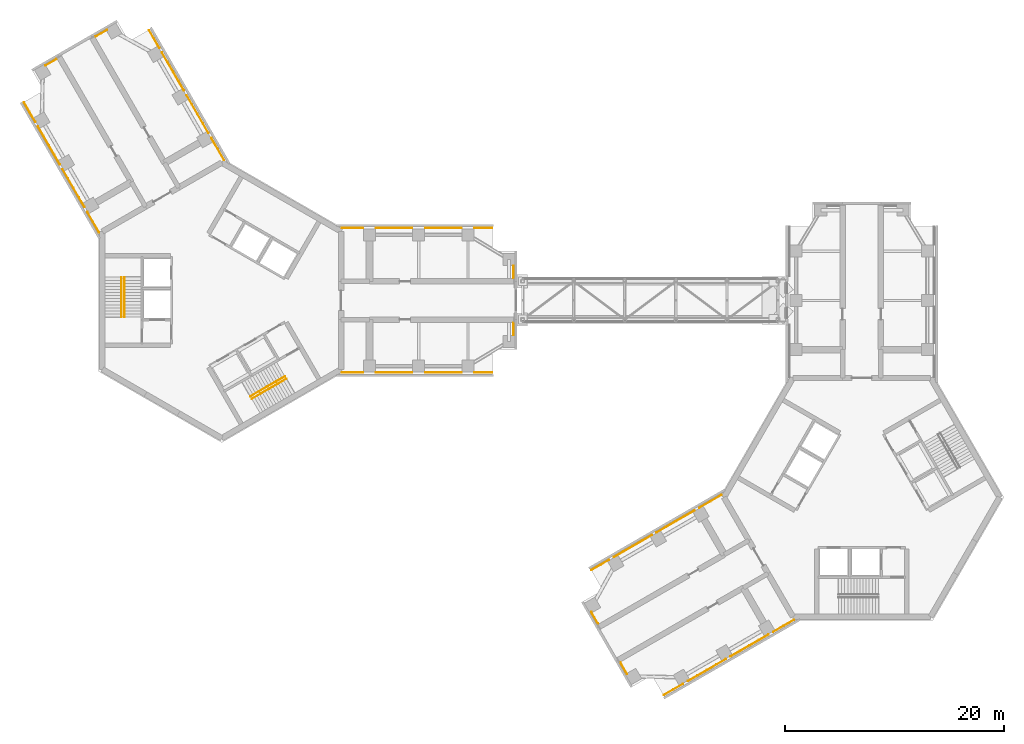
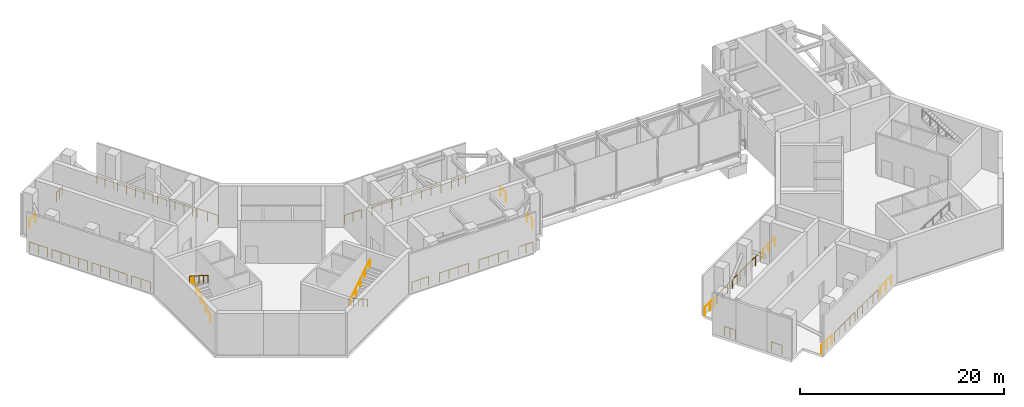
# One storey, part 14 of 15: 34 railings.
"""IFC4 building model written with IfcOpenShell, lengths in metres."""

from ifc_helpers import new_model, si_unit, direction, frame, origin, origin_2d, place, context, subcontext, project, spatial, circle, extrude, material, type_object, element, save


model = new_model("IFC4")

# Units and contexts
model_context = context("Model", 3, precision=1e-05, world=origin(), true_north=direction((0.0, 1.0)))
body_context = subcontext(model_context, "Body", "Model", "MODEL_VIEW")
ifc_project = project(units=[si_unit("LENGTHUNIT", "METRE"), si_unit("AREAUNIT", "SQUARE_METRE"), si_unit("VOLUMEUNIT", "CUBIC_METRE"), si_unit("PLANEANGLEUNIT", "RADIAN"), si_unit("MASSUNIT", "GRAM", prefix="KILO")], contexts=[model_context])

# Site, building, storey
site_placement = place(None, origin())
site = spatial("IfcSite", under=ifc_project, at=site_placement, CompositionType="ELEMENT")
building_placement = place(site_placement, origin())
building = spatial("IfcBuilding", under=site, at=building_placement, Name="Upepo Twin Towers", CompositionType="ELEMENT")
storey_placement = place(building_placement, frame((0.0, 0.0, 238.5)))
storey = spatial("IfcBuildingStorey", under=building, at=storey_placement, Name="L58", CompositionType="ELEMENT", Elevation=238.5)

# Railings
ifc_material_1 = material(Name="Stainless steel and glass", Category="steel")
railing_type_1 = type_object("IfcRailingType", Name="Guard 1100", PredefinedType="GUARDRAIL", material=ifc_material_1)
railing_1_placement = place(storey_placement, frame((10.985107421875, 6.60009765625, 0.0)))
element("IfcRailing", 1, at=railing_1_placement, inside=storey, type_object=railing_type_1, Name="T1 L58 open floor guard", PredefinedType="GUARDRAIL", context=body_context, shape_type="SweptSolid", body=[
    extrude(circle(Radius=0.02392578125, at=origin_2d()), frame((0.0, 0.0, 1.076171875), z_axis=(1.0, 0.0, 0.0), x_axis=(0.0, 1.0, 0.0)), (0.0, 0.0, 1.0), 1.914794921875),
    extrude(circle(Radius=0.02099609375, at=origin_2d()), origin(), (0.0, 0.0, 1.0), 1.052001953125),
    extrude(circle(Radius=0.02099609375, at=origin_2d()), frame((0.95751953125, 0.0, 0.0)), (0.0, 0.0, 1.0), 1.052001953125),
    extrude(circle(Radius=0.02099609375, at=origin_2d()), frame((1.914794921875, 0.0, 0.0)), (0.0, 0.0, 1.0), 1.052001953125),
])
for number, where, name in (
    (2, (14.10009765625, 6.60009765625, 0.0), "T1 L58 open floor guard"),
    (3, (18.60009765625, 6.60009765625, 0.0), "T1 L58 open floor guard"),
):
    element("IfcRailing", number, at=place(storey_placement, frame(where)), inside=storey, type_object=railing_type_1, Name=name, PredefinedType="GUARDRAIL", context=body_context, shape_type="SweptSolid", body=[
        extrude(circle(Radius=0.02392578125, at=origin_2d()), frame((0.0, 0.0, 1.076171875), z_axis=(1.0, 0.0, 0.0), x_axis=(0.0, 1.0, 0.0)), (0.0, 0.0, 1.0), 3.2998046875),
        extrude(circle(Radius=0.02099609375, at=origin_2d()), origin(), (0.0, 0.0, 1.0), 1.052001953125),
        extrude(circle(Radius=0.02099609375, at=origin_2d()), frame((1.099853515625, 0.0, 0.0)), (0.0, 0.0, 1.0), 1.052001953125),
        extrude(circle(Radius=0.02099609375, at=origin_2d()), frame((2.199951171875, 0.0, 0.0)), (0.0, 0.0, 1.0), 1.052001953125),
        extrude(circle(Radius=0.02099609375, at=origin_2d()), frame((3.2998046875, 0.0, 0.0)), (0.0, 0.0, 1.0), 1.052001953125),
    ])
railing_2_placement = place(storey_placement, frame((23.10009765625, 6.60009765625, 0.0)))
element("IfcRailing", 4, at=railing_2_placement, inside=storey, type_object=railing_type_1, Name="T1 L58 open floor guard", PredefinedType="GUARDRAIL", context=body_context, shape_type="SweptSolid", body=[
    extrude(circle(Radius=0.02392578125, at=origin_2d()), frame((0.0, 0.0, 1.076171875), z_axis=(1.0, 0.0, 0.0), x_axis=(0.0, 1.0, 0.0)), (0.0, 0.0, 1.0), 1.599853515625),
    extrude(circle(Radius=0.02099609375, at=origin_2d()), origin(), (0.0, 0.0, 1.0), 1.052001953125),
    extrude(circle(Radius=0.02099609375, at=origin_2d()), frame((0.7998046875, 0.0, 0.0)), (0.0, 0.0, 1.0), 1.052001953125),
    extrude(circle(Radius=0.02099609375, at=origin_2d()), frame((1.599853515625, 0.0, 0.0)), (0.0, 0.0, 1.0), 1.052001953125),
])
railing_3_placement = place(storey_placement, frame((12.89990234375, -6.60009765625, 0.0)))
element("IfcRailing", 5, at=railing_3_placement, inside=storey, type_object=railing_type_1, Name="T1 L58 open floor guard", PredefinedType="GUARDRAIL", context=body_context, shape_type="SweptSolid", body=[
    extrude(circle(Radius=0.02392578125, at=origin_2d()), frame((0.0, 0.0, 1.076171875), z_axis=(-1.0, 0.0, 0.0), x_axis=(0.0, -1.0, 0.0)), (0.0, 0.0, 1.0), 1.914794921875),
    extrude(circle(Radius=0.02099609375, at=origin_2d()), origin(), (0.0, 0.0, 1.0), 1.052001953125),
    extrude(circle(Radius=0.02099609375, at=origin_2d()), frame((-0.95751953125, 0.0, 0.0)), (0.0, 0.0, 1.0), 1.052001953125),
    extrude(circle(Radius=0.02099609375, at=origin_2d()), frame((-1.914794921875, 0.0, 0.0)), (0.0, 0.0, 1.0), 1.052001953125),
])
for number, where, name in (
    (6, (17.39990234375, -6.60009765625, 0.0), "T1 L58 open floor guard"),
    (7, (21.89990234375, -6.60009765625, 0.0), "T1 L58 open floor guard"),
):
    element("IfcRailing", number, at=place(storey_placement, frame(where)), inside=storey, type_object=railing_type_1, Name=name, PredefinedType="GUARDRAIL", context=body_context, shape_type="SweptSolid", body=[
        extrude(circle(Radius=0.02392578125, at=origin_2d()), frame((0.0, 0.0, 1.076171875), z_axis=(-1.0, 0.0, 0.0), x_axis=(0.0, -1.0, 0.0)), (0.0, 0.0, 1.0), 3.2998046875),
        extrude(circle(Radius=0.02099609375, at=origin_2d()), origin(), (0.0, 0.0, 1.0), 1.052001953125),
        extrude(circle(Radius=0.02099609375, at=origin_2d()), frame((-1.099853515625, 0.0, 0.0)), (0.0, 0.0, 1.0), 1.052001953125),
        extrude(circle(Radius=0.02099609375, at=origin_2d()), frame((-2.199951171875, 0.0, 0.0)), (0.0, 0.0, 1.0), 1.052001953125),
        extrude(circle(Radius=0.02099609375, at=origin_2d()), frame((-3.2998046875, 0.0, 0.0)), (0.0, 0.0, 1.0), 1.052001953125),
    ])
railing_4_placement = place(storey_placement, frame((24.699951171875, -6.60009765625, 0.0)))
element("IfcRailing", 8, at=railing_4_placement, inside=storey, type_object=railing_type_1, Name="T1 L58 open floor guard", PredefinedType="GUARDRAIL", context=body_context, shape_type="SweptSolid", body=[
    extrude(circle(Radius=0.02392578125, at=origin_2d()), frame((0.0, 0.0, 1.076171875), z_axis=(-1.0, 0.0, 0.0), x_axis=(0.0, -1.0, 0.0)), (0.0, 0.0, 1.0), 1.599853515625),
    extrude(circle(Radius=0.02099609375, at=origin_2d()), origin(), (0.0, 0.0, 1.0), 1.052001953125),
    extrude(circle(Radius=0.02099609375, at=origin_2d()), frame((-0.7998046875, 0.0, 0.0)), (0.0, 0.0, 1.0), 1.052001953125),
    extrude(circle(Radius=0.02099609375, at=origin_2d()), frame((-1.599853515625, 0.0, 0.0)), (0.0, 0.0, 1.0), 1.052001953125),
])
for number, where, name in (
    (9, (26.64990234375, -3.14990234375, 0.0), "T1 L58 open floor guard"),
    (10, (26.64990234375, 2.050048828125, 0.0), "T1 L58 open floor guard"),
):
    element("IfcRailing", number, at=place(storey_placement, frame(where)), inside=storey, type_object=railing_type_1, Name=name, PredefinedType="GUARDRAIL", context=body_context, shape_type="SweptSolid", body=[
        extrude(circle(Radius=0.02392578125, at=origin_2d()), frame((0.0, 0.0, 1.076171875), z_axis=(0.0, 1.0, 0.0), x_axis=(-1.0, 0.0, 0.0)), (0.0, 0.0, 1.0), 1.099853515625),
        extrude(circle(Radius=0.02099609375, at=origin_2d()), origin(), (0.0, 0.0, 1.0), 1.052001953125),
        extrude(circle(Radius=0.02099609375, at=origin_2d()), frame((0.0, 1.099853515625, 0.0)), (0.0, 0.0, 1.0), 1.052001953125),
    ])
railing_5_placement = place(storey_placement, frame((-17.046142578125, 16.32470703125, 0.0)))
element("IfcRailing", 11, at=railing_5_placement, inside=storey, type_object=railing_type_1, Name="T1 L58 open floor guard", PredefinedType="GUARDRAIL", context=body_context, shape_type="SweptSolid", body=[
    extrude(circle(Radius=0.02392578125, at=origin_2d()), frame((0.0, 0.0, 1.076171875), z_axis=(-0.499950448838, 0.866054010271, 0.0), x_axis=(-0.866054010271, -0.499950448838, 0.0)), (0.0, 0.0, 1.0), 2.039306640625),
    extrude(circle(Radius=0.02099609375, at=origin_2d()), origin(), (0.0, 0.0, 1.0), 1.052001953125),
    extrude(circle(Radius=0.02099609375, at=origin_2d()), frame((-0.509765625, 0.883056640625, 0.0)), (0.0, 0.0, 1.0), 1.052001953125),
    extrude(circle(Radius=0.02099609375, at=origin_2d()), frame((-1.01953125, 1.76611328125, 0.0)), (0.0, 0.0, 1.0), 1.052001953125),
])
railing_6_placement = place(storey_placement, frame((-14.796142578125, 12.427734375, 0.0)))
element("IfcRailing", 12, at=railing_6_placement, inside=storey, type_object=railing_type_1, Name="T1 L58 open floor guard", PredefinedType="GUARDRAIL", context=body_context, shape_type="SweptSolid", body=[
    extrude(circle(Radius=0.02392578125, at=origin_2d()), frame((0.0, 0.0, 1.076171875), z_axis=(-0.499999455981, 0.866025717874, 0.0), x_axis=(-0.866025717874, -0.499999455981, 0.0)), (0.0, 0.0, 1.0), 3.99267578125),
    extrude(circle(Radius=0.02099609375, at=origin_2d()), origin(), (0.0, 0.0, 1.0), 1.052001953125),
    extrude(circle(Radius=0.02099609375, at=origin_2d()), frame((-0.4990234375, 0.864501953125, 0.0)), (0.0, 0.0, 1.0), 1.052001953125),
    extrude(circle(Radius=0.02099609375, at=origin_2d()), frame((-0.998046875, 1.72900390625, 0.0)), (0.0, 0.0, 1.0), 1.052001953125),
    extrude(circle(Radius=0.02099609375, at=origin_2d()), frame((-1.497314453125, 2.59326171875, 0.0)), (0.0, 0.0, 1.0), 1.052001953125),
    extrude(circle(Radius=0.02099609375, at=origin_2d()), frame((-1.996337890625, 3.457763671875, 0.0)), (0.0, 0.0, 1.0), 1.052001953125),
])
railing_7_placement = place(storey_placement, frame((-12.546142578125, 8.530517578125, 0.0)))
element("IfcRailing", 13, at=railing_7_placement, inside=storey, type_object=railing_type_1, Name="T1 L58 open floor guard", PredefinedType="GUARDRAIL", context=body_context, shape_type="SweptSolid", body=[
    extrude(circle(Radius=0.02392578125, at=origin_2d()), frame((0.0, 0.0, 1.076171875), z_axis=(-0.499972979717, 0.86604100339, 0.0), x_axis=(-0.86604100339, -0.499972979717, 0.0)), (0.0, 0.0, 1.0), 3.992919921875),
    extrude(circle(Radius=0.02099609375, at=origin_2d()), origin(), (0.0, 0.0, 1.0), 1.052001953125),
    extrude(circle(Radius=0.02099609375, at=origin_2d()), frame((-0.4990234375, 0.864501953125, 0.0)), (0.0, 0.0, 1.0), 1.052001953125),
    extrude(circle(Radius=0.02099609375, at=origin_2d()), frame((-0.998046875, 1.72900390625, 0.0)), (0.0, 0.0, 1.0), 1.052001953125),
    extrude(circle(Radius=0.02099609375, at=origin_2d()), frame((-1.497314453125, 2.593505859375, 0.0)), (0.0, 0.0, 1.0), 1.052001953125),
    extrude(circle(Radius=0.02099609375, at=origin_2d()), frame((-1.996337890625, 3.4580078125, 0.0)), (0.0, 0.0, 1.0), 1.052001953125),
])
railing_8_placement = place(storey_placement, frame((-11.208251953125, 6.21337890625, 0.0)))
element("IfcRailing", 14, at=railing_8_placement, inside=storey, type_object=railing_type_1, Name="T1 L58 open floor guard", PredefinedType="GUARDRAIL", context=body_context, shape_type="SweptSolid", body=[
    extrude(circle(Radius=0.02392578125, at=origin_2d()), frame((0.0, 0.0, 1.076171875), z_axis=(-0.500001834845, 0.866024344433, 0.0), x_axis=(-0.866024344433, -0.500001834845, 0.0)), (0.0, 0.0, 1.0), 2.16845703125),
    extrude(circle(Radius=0.02099609375, at=origin_2d()), origin(), (0.0, 0.0, 1.0), 1.052001953125),
    extrude(circle(Radius=0.02099609375, at=origin_2d()), frame((-0.5419921875, 0.93896484375, 0.0)), (0.0, 0.0, 1.0), 1.052001953125),
    extrude(circle(Radius=0.02099609375, at=origin_2d()), frame((-1.084228515625, 1.8779296875, 0.0)), (0.0, 0.0, 1.0), 1.052001953125),
])
railing_9_placement = place(storey_placement, frame((-6.63427734375, 24.69091796875, 0.0)))
element("IfcRailing", 15, at=railing_9_placement, inside=storey, type_object=railing_type_1, Name="T1 L58 open floor guard", PredefinedType="GUARDRAIL", context=body_context, shape_type="SweptSolid", body=[
    extrude(circle(Radius=0.02392578125, at=origin_2d()), frame((0.0, 0.0, 1.076171875), z_axis=(0.499992292652, -0.866029853578, 0.0), x_axis=(0.866029853578, 0.499992292652, 0.0)), (0.0, 0.0, 1.0), 1.853515625),
    extrude(circle(Radius=0.02099609375, at=origin_2d()), origin(), (0.0, 0.0, 1.0), 1.052001953125),
    extrude(circle(Radius=0.02099609375, at=origin_2d()), frame((0.46337890625, -0.802734375, 0.0)), (0.0, 0.0, 1.0), 1.052001953125),
    extrude(circle(Radius=0.02099609375, at=origin_2d()), frame((0.9267578125, -1.605224609375, 0.0)), (0.0, 0.0, 1.0), 1.052001953125),
])
railing_10_placement = place(storey_placement, frame((-5.453857421875, 22.646240234375, 0.0)))
element("IfcRailing", 16, at=railing_10_placement, inside=storey, type_object=railing_type_1, Name="T1 L58 open floor guard", PredefinedType="GUARDRAIL", context=body_context, shape_type="SweptSolid", body=[
    extrude(circle(Radius=0.02392578125, at=origin_2d()), frame((0.0, 0.0, 1.076171875), z_axis=(0.499999455981, -0.866025717874, 0.0), x_axis=(0.866025717874, 0.499999455981, 0.0)), (0.0, 0.0, 1.0), 3.99267578125),
    extrude(circle(Radius=0.02099609375, at=origin_2d()), origin(), (0.0, 0.0, 1.0), 1.052001953125),
    extrude(circle(Radius=0.02099609375, at=origin_2d()), frame((0.4990234375, -0.864501953125, 0.0)), (0.0, 0.0, 1.0), 1.052001953125),
    extrude(circle(Radius=0.02099609375, at=origin_2d()), frame((0.998046875, -1.72900390625, 0.0)), (0.0, 0.0, 1.0), 1.052001953125),
    extrude(circle(Radius=0.02099609375, at=origin_2d()), frame((1.497314453125, -2.59326171875, 0.0)), (0.0, 0.0, 1.0), 1.052001953125),
    extrude(circle(Radius=0.02099609375, at=origin_2d()), frame((1.996337890625, -3.457763671875, 0.0)), (0.0, 0.0, 1.0), 1.052001953125),
])
railing_11_placement = place(storey_placement, frame((-3.203857421875, 18.749267578125, 0.0)))
element("IfcRailing", 17, at=railing_11_placement, inside=storey, type_object=railing_type_1, Name="T1 L58 open floor guard", PredefinedType="GUARDRAIL", context=body_context, shape_type="SweptSolid", body=[
    extrude(circle(Radius=0.02392578125, at=origin_2d()), frame((0.0, 0.0, 1.076171875), z_axis=(0.499972979717, -0.86604100339, 0.0), x_axis=(0.86604100339, 0.499972979717, 0.0)), (0.0, 0.0, 1.0), 3.992919921875),
    extrude(circle(Radius=0.02099609375, at=origin_2d()), origin(), (0.0, 0.0, 1.0), 1.052001953125),
    extrude(circle(Radius=0.02099609375, at=origin_2d()), frame((0.4990234375, -0.864501953125, 0.0)), (0.0, 0.0, 1.0), 1.052001953125),
    extrude(circle(Radius=0.02099609375, at=origin_2d()), frame((0.998046875, -1.72900390625, 0.0)), (0.0, 0.0, 1.0), 1.052001953125),
    extrude(circle(Radius=0.02099609375, at=origin_2d()), frame((1.497314453125, -2.593505859375, 0.0)), (0.0, 0.0, 1.0), 1.052001953125),
    extrude(circle(Radius=0.02099609375, at=origin_2d()), frame((1.996337890625, -3.4580078125, 0.0)), (0.0, 0.0, 1.0), 1.052001953125),
])
railing_12_placement = place(storey_placement, frame((-0.953857421875, 14.85205078125, 0.0)))
element("IfcRailing", 18, at=railing_12_placement, inside=storey, type_object=railing_type_1, Name="T1 L58 open floor guard", PredefinedType="GUARDRAIL", context=body_context, shape_type="SweptSolid", body=[
    extrude(circle(Radius=0.02392578125, at=origin_2d()), frame((0.0, 0.0, 1.076171875), z_axis=(0.500009742867, -0.866019778664, 0.0), x_axis=(0.866019778664, 0.500009742867, 0.0)), (0.0, 0.0, 1.0), 2.35400390625),
    extrude(circle(Radius=0.02099609375, at=origin_2d()), origin(), (0.0, 0.0, 1.0), 1.052001953125),
    extrude(circle(Radius=0.02099609375, at=origin_2d()), frame((0.58837890625, -1.019287109375, 0.0)), (0.0, 0.0, 1.0), 1.052001953125),
    extrude(circle(Radius=0.02099609375, at=origin_2d()), frame((1.177001953125, -2.03857421875, 0.0)), (0.0, 0.0, 1.0), 1.052001953125),
])
railing_13_placement = place(storey_placement, frame((-10.477294921875, 24.7236328125, 0.0)))
element("IfcRailing", 19, at=railing_13_placement, inside=storey, type_object=railing_type_1, Name="T1 L58 open floor guard", PredefinedType="GUARDRAIL", context=body_context, shape_type="SweptSolid", body=[
    extrude(circle(Radius=0.02392578125, at=origin_2d()), frame((0.0, 0.0, 1.076171875), z_axis=(-0.866001699761, -0.500041054325, 0.0), x_axis=(0.500041054325, -0.866001699761, 0.0)), (0.0, 0.0, 1.0), 1.23828125),
    extrude(circle(Radius=0.02099609375, at=origin_2d()), origin(), (0.0, 0.0, 1.0), 1.052001953125),
    extrude(circle(Radius=0.02099609375, at=origin_2d()), frame((-0.5361328125, -0.3095703125, 0.0)), (0.0, 0.0, 1.0), 1.052001953125),
    extrude(circle(Radius=0.02099609375, at=origin_2d()), frame((-1.072265625, -0.619140625, 0.0)), (0.0, 0.0, 1.0), 1.052001953125),
])
railing_14_placement = place(storey_placement, frame((-15.100341796875, 22.0546875, 0.0)))
element("IfcRailing", 20, at=railing_14_placement, inside=storey, type_object=railing_type_1, Name="T1 L58 open floor guard", PredefinedType="GUARDRAIL", context=body_context, shape_type="SweptSolid", body=[
    extrude(circle(Radius=0.02392578125, at=origin_2d()), frame((0.0, 0.0, 1.076171875), z_axis=(-0.866004928679, -0.500035462246, 0.0), x_axis=(0.500035462246, -0.866004928679, 0.0)), (0.0, 0.0, 1.0), 1.19287109375),
    extrude(circle(Radius=0.02099609375, at=origin_2d()), origin(), (0.0, 0.0, 1.0), 1.052001953125),
    extrude(circle(Radius=0.02099609375, at=origin_2d()), frame((-1.032958984375, -0.596435546875, 0.0)), (0.0, 0.0, 1.0), 1.052001953125),
])
railing_15_placement = place(storey_placement, frame((42.17529296875, -35.046142578125, 0.0)))
element("IfcRailing", 21, at=railing_15_placement, inside=storey, type_object=railing_type_1, Name="T2 L58 open floor guard", PredefinedType="GUARDRAIL", context=body_context, shape_type="SweptSolid", body=[
    extrude(circle(Radius=0.02392578125, at=origin_2d()), frame((0.0, 0.0, 1.076171875), z_axis=(-0.866054010271, -0.499950448838, 0.0), x_axis=(0.499950448838, -0.866054010271, 0.0)), (0.0, 0.0, 1.0), 2.039306640625),
    extrude(circle(Radius=0.02099609375, at=origin_2d()), origin(), (0.0, 0.0, 1.0), 1.052001953125),
    extrude(circle(Radius=0.02099609375, at=origin_2d()), frame((-0.883056640625, -0.509765625, 0.0)), (0.0, 0.0, 1.0), 1.052001953125),
    extrude(circle(Radius=0.02099609375, at=origin_2d()), frame((-1.76611328125, -1.01953125, 0.0)), (0.0, 0.0, 1.0), 1.052001953125),
])
railing_16_placement = place(storey_placement, frame((46.072265625, -32.796142578125, 0.0)))
element("IfcRailing", 22, at=railing_16_placement, inside=storey, type_object=railing_type_1, Name="T2 L58 open floor guard", PredefinedType="GUARDRAIL", context=body_context, shape_type="SweptSolid", body=[
    extrude(circle(Radius=0.02392578125, at=origin_2d()), frame((0.0, 0.0, 1.076171875), z_axis=(-0.866025717874, -0.499999455981, 0.0), x_axis=(0.499999455981, -0.866025717874, 0.0)), (0.0, 0.0, 1.0), 3.99267578125),
    extrude(circle(Radius=0.02099609375, at=origin_2d()), origin(), (0.0, 0.0, 1.0), 1.052001953125),
    extrude(circle(Radius=0.02099609375, at=origin_2d()), frame((-0.864501953125, -0.4990234375, 0.0)), (0.0, 0.0, 1.0), 1.052001953125),
    extrude(circle(Radius=0.02099609375, at=origin_2d()), frame((-1.72900390625, -0.998046875, 0.0)), (0.0, 0.0, 1.0), 1.052001953125),
    extrude(circle(Radius=0.02099609375, at=origin_2d()), frame((-2.59326171875, -1.497314453125, 0.0)), (0.0, 0.0, 1.0), 1.052001953125),
    extrude(circle(Radius=0.02099609375, at=origin_2d()), frame((-3.457763671875, -1.996337890625, 0.0)), (0.0, 0.0, 1.0), 1.052001953125),
])
railing_17_placement = place(storey_placement, frame((49.969482421875, -30.546142578125, 0.0)))
element("IfcRailing", 23, at=railing_17_placement, inside=storey, type_object=railing_type_1, Name="T2 L58 open floor guard", PredefinedType="GUARDRAIL", context=body_context, shape_type="SweptSolid", body=[
    extrude(circle(Radius=0.02392578125, at=origin_2d()), frame((0.0, 0.0, 1.076171875), z_axis=(-0.86604100339, -0.499972979717, 0.0), x_axis=(0.499972979717, -0.86604100339, 0.0)), (0.0, 0.0, 1.0), 3.992919921875),
    extrude(circle(Radius=0.02099609375, at=origin_2d()), origin(), (0.0, 0.0, 1.0), 1.052001953125),
    extrude(circle(Radius=0.02099609375, at=origin_2d()), frame((-0.864501953125, -0.4990234375, 0.0)), (0.0, 0.0, 1.0), 1.052001953125),
    extrude(circle(Radius=0.02099609375, at=origin_2d()), frame((-1.72900390625, -0.998046875, 0.0)), (0.0, 0.0, 1.0), 1.052001953125),
    extrude(circle(Radius=0.02099609375, at=origin_2d()), frame((-2.593505859375, -1.497314453125, 0.0)), (0.0, 0.0, 1.0), 1.052001953125),
    extrude(circle(Radius=0.02099609375, at=origin_2d()), frame((-3.4580078125, -1.996337890625, 0.0)), (0.0, 0.0, 1.0), 1.052001953125),
])
railing_18_placement = place(storey_placement, frame((52.28662109375, -29.208251953125, 0.0)))
element("IfcRailing", 24, at=railing_18_placement, inside=storey, type_object=railing_type_1, Name="T2 L58 open floor guard", PredefinedType="GUARDRAIL", context=body_context, shape_type="SweptSolid", body=[
    extrude(circle(Radius=0.02392578125, at=origin_2d()), frame((0.0, 0.0, 1.076171875), z_axis=(-0.866024344433, -0.500001834845, 0.0), x_axis=(0.500001834845, -0.866024344433, 0.0)), (0.0, 0.0, 1.0), 2.16845703125),
    extrude(circle(Radius=0.02099609375, at=origin_2d()), origin(), (0.0, 0.0, 1.0), 1.052001953125),
    extrude(circle(Radius=0.02099609375, at=origin_2d()), frame((-0.93896484375, -0.5419921875, 0.0)), (0.0, 0.0, 1.0), 1.052001953125),
    extrude(circle(Radius=0.02099609375, at=origin_2d()), frame((-1.8779296875, -1.084228515625, 0.0)), (0.0, 0.0, 1.0), 1.052001953125),
])
railing_19_placement = place(storey_placement, frame((33.80908203125, -24.63427734375, 0.0)))
element("IfcRailing", 25, at=railing_19_placement, inside=storey, type_object=railing_type_1, Name="T2 L58 open floor guard", PredefinedType="GUARDRAIL", context=body_context, shape_type="SweptSolid", body=[
    extrude(circle(Radius=0.02392578125, at=origin_2d()), frame((0.0, 0.0, 1.076171875), z_axis=(0.866029853578, 0.499992292652, 0.0), x_axis=(-0.499992292652, 0.866029853578, 0.0)), (0.0, 0.0, 1.0), 1.853515625),
    extrude(circle(Radius=0.02099609375, at=origin_2d()), origin(), (0.0, 0.0, 1.0), 1.052001953125),
    extrude(circle(Radius=0.02099609375, at=origin_2d()), frame((0.802734375, 0.46337890625, 0.0)), (0.0, 0.0, 1.0), 1.052001953125),
    extrude(circle(Radius=0.02099609375, at=origin_2d()), frame((1.605224609375, 0.9267578125, 0.0)), (0.0, 0.0, 1.0), 1.052001953125),
])
railing_20_placement = place(storey_placement, frame((35.853759765625, -23.453857421875, 0.0)))
element("IfcRailing", 26, at=railing_20_placement, inside=storey, type_object=railing_type_1, Name="T2 L58 open floor guard", PredefinedType="GUARDRAIL", context=body_context, shape_type="SweptSolid", body=[
    extrude(circle(Radius=0.02392578125, at=origin_2d()), frame((0.0, 0.0, 1.076171875), z_axis=(0.866025717874, 0.499999455981, 0.0), x_axis=(-0.499999455981, 0.866025717874, 0.0)), (0.0, 0.0, 1.0), 3.99267578125),
    extrude(circle(Radius=0.02099609375, at=origin_2d()), origin(), (0.0, 0.0, 1.0), 1.052001953125),
    extrude(circle(Radius=0.02099609375, at=origin_2d()), frame((0.864501953125, 0.4990234375, 0.0)), (0.0, 0.0, 1.0), 1.052001953125),
    extrude(circle(Radius=0.02099609375, at=origin_2d()), frame((1.72900390625, 0.998046875, 0.0)), (0.0, 0.0, 1.0), 1.052001953125),
    extrude(circle(Radius=0.02099609375, at=origin_2d()), frame((2.59326171875, 1.497314453125, 0.0)), (0.0, 0.0, 1.0), 1.052001953125),
    extrude(circle(Radius=0.02099609375, at=origin_2d()), frame((3.457763671875, 1.996337890625, 0.0)), (0.0, 0.0, 1.0), 1.052001953125),
])
railing_21_placement = place(storey_placement, frame((39.750732421875, -21.203857421875, 0.0)))
element("IfcRailing", 27, at=railing_21_placement, inside=storey, type_object=railing_type_1, Name="T2 L58 open floor guard", PredefinedType="GUARDRAIL", context=body_context, shape_type="SweptSolid", body=[
    extrude(circle(Radius=0.02392578125, at=origin_2d()), frame((0.0, 0.0, 1.076171875), z_axis=(0.86604100339, 0.499972979717, 0.0), x_axis=(-0.499972979717, 0.86604100339, 0.0)), (0.0, 0.0, 1.0), 3.992919921875),
    extrude(circle(Radius=0.02099609375, at=origin_2d()), origin(), (0.0, 0.0, 1.0), 1.052001953125),
    extrude(circle(Radius=0.02099609375, at=origin_2d()), frame((0.864501953125, 0.4990234375, 0.0)), (0.0, 0.0, 1.0), 1.052001953125),
    extrude(circle(Radius=0.02099609375, at=origin_2d()), frame((1.72900390625, 0.998046875, 0.0)), (0.0, 0.0, 1.0), 1.052001953125),
    extrude(circle(Radius=0.02099609375, at=origin_2d()), frame((2.593505859375, 1.497314453125, 0.0)), (0.0, 0.0, 1.0), 1.052001953125),
    extrude(circle(Radius=0.02099609375, at=origin_2d()), frame((3.4580078125, 1.996337890625, 0.0)), (0.0, 0.0, 1.0), 1.052001953125),
])
railing_22_placement = place(storey_placement, frame((43.64794921875, -18.953857421875, 0.0)))
element("IfcRailing", 28, at=railing_22_placement, inside=storey, type_object=railing_type_1, Name="T2 L58 open floor guard", PredefinedType="GUARDRAIL", context=body_context, shape_type="SweptSolid", body=[
    extrude(circle(Radius=0.02392578125, at=origin_2d()), frame((0.0, 0.0, 1.076171875), z_axis=(0.866019778664, 0.500009742867, 0.0), x_axis=(-0.500009742867, 0.866019778664, 0.0)), (0.0, 0.0, 1.0), 2.35400390625),
    extrude(circle(Radius=0.02099609375, at=origin_2d()), origin(), (0.0, 0.0, 1.0), 1.052001953125),
    extrude(circle(Radius=0.02099609375, at=origin_2d()), frame((1.019287109375, 0.58837890625, 0.0)), (0.0, 0.0, 1.0), 1.052001953125),
    extrude(circle(Radius=0.02099609375, at=origin_2d()), frame((2.03857421875, 1.177001953125, 0.0)), (0.0, 0.0, 1.0), 1.052001953125),
])
railing_23_placement = place(storey_placement, frame((33.7763671875, -28.477294921875, 0.0)))
element("IfcRailing", 29, at=railing_23_placement, inside=storey, type_object=railing_type_1, Name="T2 L58 open floor guard", PredefinedType="GUARDRAIL", context=body_context, shape_type="SweptSolid", body=[
    extrude(circle(Radius=0.02392578125, at=origin_2d()), frame((0.0, 0.0, 1.076171875), z_axis=(0.500041054325, -0.866001699761, 0.0), x_axis=(0.866001699761, 0.500041054325, 0.0)), (0.0, 0.0, 1.0), 1.23828125),
    extrude(circle(Radius=0.02099609375, at=origin_2d()), origin(), (0.0, 0.0, 1.0), 1.052001953125),
    extrude(circle(Radius=0.02099609375, at=origin_2d()), frame((0.3095703125, -0.5361328125, 0.0)), (0.0, 0.0, 1.0), 1.052001953125),
    extrude(circle(Radius=0.02099609375, at=origin_2d()), frame((0.619140625, -1.072265625, 0.0)), (0.0, 0.0, 1.0), 1.052001953125),
])
railing_24_placement = place(storey_placement, frame((36.4453125, -33.100341796875, 0.0)))
element("IfcRailing", 30, at=railing_24_placement, inside=storey, type_object=railing_type_1, Name="T2 L58 open floor guard", PredefinedType="GUARDRAIL", context=body_context, shape_type="SweptSolid", body=[
    extrude(circle(Radius=0.02392578125, at=origin_2d()), frame((0.0, 0.0, 1.076171875), z_axis=(0.500035462246, -0.866004928679, 0.0), x_axis=(0.866004928679, 0.500035462246, 0.0)), (0.0, 0.0, 1.0), 1.19287109375),
    extrude(circle(Radius=0.02099609375, at=origin_2d()), origin(), (0.0, 0.0, 1.0), 1.052001953125),
    extrude(circle(Radius=0.02099609375, at=origin_2d()), frame((0.596435546875, -1.032958984375, 0.0)), (0.0, 0.0, 1.0), 1.052001953125),
])
ifc_material_2 = material(Name="Stainless steel", Category="steel")
railing_type_2 = type_object("IfcRailingType", Name="Stair handrail 900", PredefinedType="HANDRAIL", material=ifc_material_2)
railing_25_placement = place(storey_placement, frame((-8.89990234375, -1.52001953125, 0.178466796875)))
element("IfcRailing", 31, at=railing_25_placement, inside=storey, type_object=railing_type_2, Name="T1 stair S1 L58 handrail 1", PredefinedType="HANDRAIL", context=body_context, shape_type="SweptSolid", body=[
    extrude(circle(Radius=0.02392578125, at=origin_2d()), frame((0.0, 0.0, 0.8759765625), z_axis=(0.0, 0.843127859045, 0.537713132908), x_axis=(-1.0, 0.0, 0.0)), (0.0, 0.0, 1.0), 4.3173828125),
    extrude(circle(Radius=0.02099609375, at=origin_2d()), origin(), (0.0, 0.0, 1.0), 0.851806640625),
    extrude(circle(Radius=0.02099609375, at=origin_2d()), frame((0.0, 0.91015625, 0.580322265625)), (0.0, 0.0, 1.0), 0.851806640625),
    extrude(circle(Radius=0.02099609375, at=origin_2d()), frame((0.0, 1.820068359375, 1.16064453125)), (0.0, 0.0, 1.0), 0.851806640625),
    extrude(circle(Radius=0.02099609375, at=origin_2d()), frame((0.0, 2.72998046875, 1.7412109375)), (0.0, 0.0, 1.0), 0.851806640625),
    extrude(circle(Radius=0.02099609375, at=origin_2d()), frame((0.0, 3.64013671875, 2.321533203125)), (0.0, 0.0, 1.0), 0.851806640625),
])
railing_26_placement = place(storey_placement, frame((-9.158447265625, 2.1201171875, 2.678466796875)))
element("IfcRailing", 32, at=railing_26_placement, inside=storey, type_object=railing_type_2, Name="T1 stair S1 L58 handrail 2", PredefinedType="HANDRAIL", context=body_context, shape_type="SweptSolid", body=[
    extrude(circle(Radius=0.02392578125, at=origin_2d()), frame((0.0, 0.0, 0.8759765625), z_axis=(0.0, -0.843127859045, 0.537713132908), x_axis=(1.0, 0.0, 0.0)), (0.0, 0.0, 1.0), 4.3173828125),
    extrude(circle(Radius=0.02099609375, at=origin_2d()), origin(), (0.0, 0.0, 1.0), 0.851806640625),
    extrude(circle(Radius=0.02099609375, at=origin_2d()), frame((0.0, -0.91015625, 0.580322265625)), (0.0, 0.0, 1.0), 0.851806640625),
    extrude(circle(Radius=0.02099609375, at=origin_2d()), frame((0.0, -1.820068359375, 1.16064453125)), (0.0, 0.0, 1.0), 0.851806640625),
    extrude(circle(Radius=0.02099609375, at=origin_2d()), frame((0.0, -2.72998046875, 1.7412109375)), (0.0, 0.0, 1.0), 0.851806640625),
    extrude(circle(Radius=0.02099609375, at=origin_2d()), frame((0.0, -3.64013671875, 2.321533203125)), (0.0, 0.0, 1.0), 0.851806640625),
])
railing_27_placement = place(storey_placement, frame((5.766357421875, -6.947509765625, 0.178466796875)))
element("IfcRailing", 33, at=railing_27_placement, inside=storey, type_object=railing_type_2, Name="T1 stair S2 L58 handrail 1", PredefinedType="HANDRAIL", context=body_context, shape_type="SweptSolid", body=[
    extrude(circle(Radius=0.02392578125, at=origin_2d()), frame((0.0, 0.0, 0.8759765625), z_axis=(-0.730158560966, -0.421571566915, 0.537722874553), x_axis=(0.500012742938, -0.866018046521, 0.0)), (0.0, 0.0, 1.0), 4.3173828125),
    extrude(circle(Radius=0.02099609375, at=origin_2d()), origin(), (0.0, 0.0, 1.0), 0.851806640625),
    extrude(circle(Radius=0.02099609375, at=origin_2d()), frame((-0.7880859375, -0.455078125, 0.580322265625)), (0.0, 0.0, 1.0), 0.851806640625),
    extrude(circle(Radius=0.02099609375, at=origin_2d()), frame((-1.576171875, -0.91015625, 1.16064453125)), (0.0, 0.0, 1.0), 0.851806640625),
    extrude(circle(Radius=0.02099609375, at=origin_2d()), frame((-2.3642578125, -1.364990234375, 1.7412109375)), (0.0, 0.0, 1.0), 0.851806640625),
    extrude(circle(Radius=0.02099609375, at=origin_2d()), frame((-3.15234375, -1.820068359375, 2.321533203125)), (0.0, 0.0, 1.0), 0.851806640625),
])
railing_28_placement = place(storey_placement, frame((2.7431640625, -8.991455078125, 2.678466796875)))
element("IfcRailing", 34, at=railing_28_placement, inside=storey, type_object=railing_type_2, Name="T1 stair S2 L58 handrail 2", PredefinedType="HANDRAIL", context=body_context, shape_type="SweptSolid", body=[
    extrude(circle(Radius=0.02392578125, at=origin_2d()), frame((0.0, 0.0, 0.8759765625), z_axis=(0.730158560966, 0.421571566915, 0.537722874553), x_axis=(-0.500012742938, 0.866018046521, 0.0)), (0.0, 0.0, 1.0), 4.3173828125),
    extrude(circle(Radius=0.02099609375, at=origin_2d()), origin(), (0.0, 0.0, 1.0), 0.851806640625),
    extrude(circle(Radius=0.02099609375, at=origin_2d()), frame((0.7880859375, 0.455078125, 0.580322265625)), (0.0, 0.0, 1.0), 0.851806640625),
    extrude(circle(Radius=0.02099609375, at=origin_2d()), frame((1.576171875, 0.91015625, 1.16064453125)), (0.0, 0.0, 1.0), 0.851806640625),
    extrude(circle(Radius=0.02099609375, at=origin_2d()), frame((2.3642578125, 1.364990234375, 1.7412109375)), (0.0, 0.0, 1.0), 0.851806640625),
    extrude(circle(Radius=0.02099609375, at=origin_2d()), frame((3.15234375, 1.820068359375, 2.321533203125)), (0.0, 0.0, 1.0), 0.851806640625),
])

save(model, "model.ifc")
